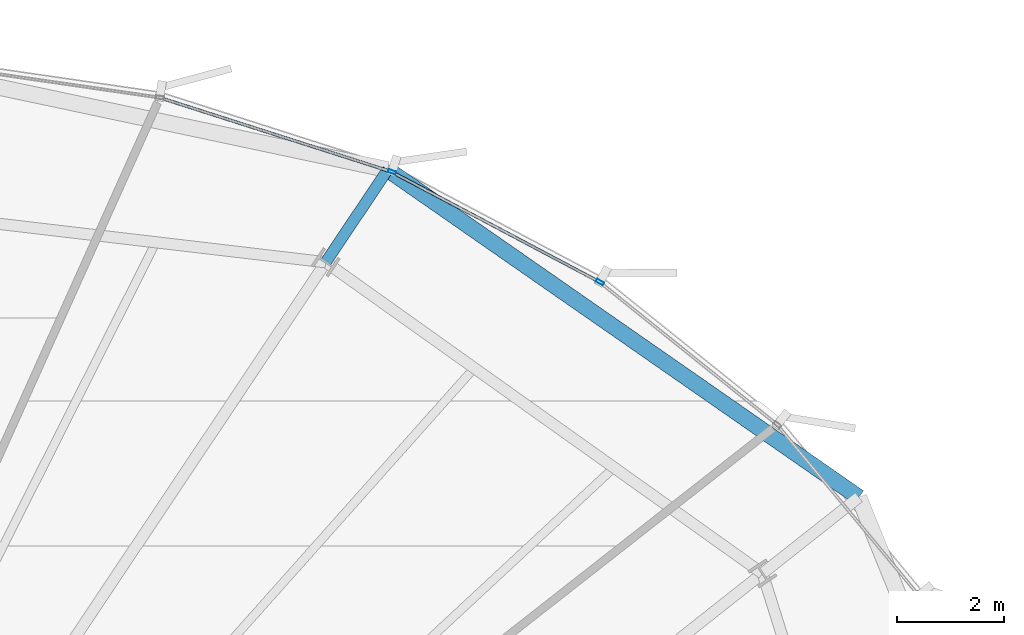
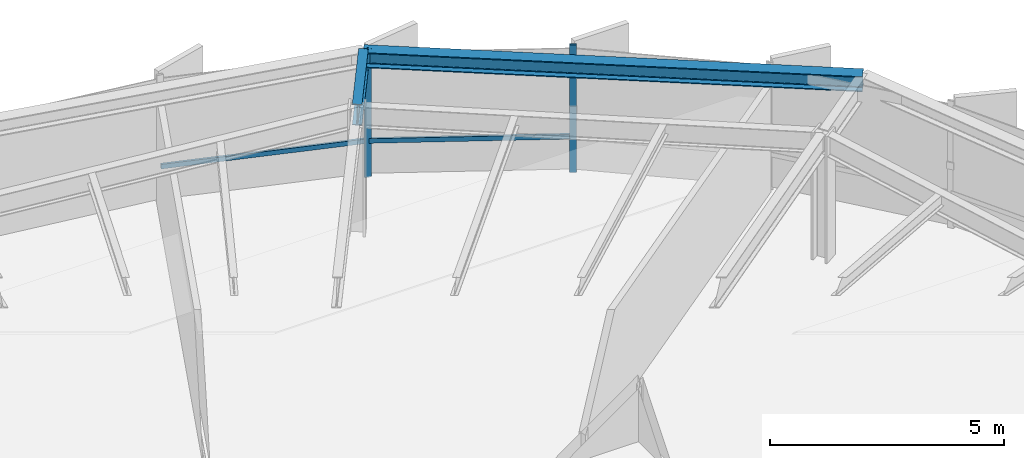
# One storey, part 24 of 35: 4 members, 2 beams, 1 element without a shape of its own.
"""IFC4 building model written with IfcOpenShell, lengths in metres."""

from ifc_helpers import new_model, si_unit, direction, frame, origin, origin_2d, place, context, subcontext, project, spatial, hollow_rectangle, i_section, extrude, source, transform, mapped, material, layer, layer_set, material_profile, profile_set, type_object, element, aggregate, save


model = new_model("IFC4")

# Units and contexts
model_context = context("Model", 3, precision=1e-05, world=origin(), true_north=direction((0.0, 1.0)))
body_context = subcontext(model_context, "Body", "Model", "MODEL_VIEW")
ifc_project = project(units=[si_unit("LENGTHUNIT", "METRE"), si_unit("AREAUNIT", "SQUARE_METRE"), si_unit("VOLUMEUNIT", "CUBIC_METRE"), si_unit("PLANEANGLEUNIT", "RADIAN"), si_unit("MASSUNIT", "GRAM", prefix="KILO"), si_unit("THERMODYNAMICTEMPERATUREUNIT", "KELVIN")], contexts=[model_context])

# Site, building, storey
site_placement = place(None, origin())
site = spatial("IfcSite", under=ifc_project, at=site_placement, CompositionType="ELEMENT")
building_placement = place(site_placement, origin())
building = spatial("IfcBuilding", under=site, at=building_placement, Name="Kethvar Cultural Tower", CompositionType="ELEMENT")
storey_placement = place(building_placement, frame((0.0, 0.0, 121.60009765625)))
storey = spatial("IfcBuildingStorey", under=building, at=storey_placement, Name="L30", CompositionType="ELEMENT", Elevation=121.60009765625)

# Beams
ifc_material_1 = material(Name="Steel S355J2", Category="steel")
ifc_material_profile_1 = material_profile(ifc_material_1, i_section(OverallWidth=0.2099609375, OverallDepth=0.550048828125, WebThickness=0.010986328125, FlangeThickness=0.01708984375, FilletRadius=0.02392578125, at=origin_2d()), Name="Steel S355J2 — IPE550")
ifc_profile_set_1 = profile_set([ifc_material_profile_1], Name="Steel S355J2 — IPE550")
beam_type_1 = type_object("IfcBeamType", Name="BM-IPE550", PredefinedType="BEAM", material=ifc_profile_set_1)
shared_shape_1 = source(origin(), body_context, "Body", "SweptSolid", [
    extrude(i_section(OverallWidth=0.2099609375, OverallDepth=0.550048828125, WebThickness=0.010986328125, FlangeThickness=0.01708984375, FilletRadius=0.02392578125, at=origin_2d()), origin(), (0.0, 0.0, 1.0), 2.08349609375),
])
beam_1_placement = place(storey_placement, frame((60.40478515625, 48.160888671875, 3.072998046875), z_axis=(0.555538184003, 0.831491025877, 0.0), x_axis=(-0.831491025877, 0.555538184003, 0.0)))
element("IfcBeam", 1, at=beam_1_placement, inside=storey, type_object=beam_type_1, Name="L30 Perimeter Cantilever Beam RC-03", PredefinedType="BEAM", context=body_context, shape_type="MappedRepresentation", body=[
    mapped(shared_shape_1, transform((0.0, 0.0, 0.0), scale=1.0)),
])
ifc_material_profile_2 = material_profile(ifc_material_1, i_section(OverallWidth=0.300048828125, OverallDepth=0.39990234375, WebThickness=0.013427734375, FlangeThickness=0.02392578125, FilletRadius=0.027099609375, at=origin_2d()), Name="Steel S355J2 — HEB400")
ifc_profile_set_2 = profile_set([ifc_material_profile_2], Name="Steel S355J2 — HEB400")
beam_type_2 = type_object("IfcBeamType", Name="BM-SP400", PredefinedType="SPANDREL", material=ifc_profile_set_2)
shared_shape_2 = source(origin(), body_context, "Body", "SweptSolid", [
    extrude(i_section(OverallWidth=0.300048828125, OverallDepth=0.39990234375, WebThickness=0.013427734375, FlangeThickness=0.02392578125, FilletRadius=0.027099609375, at=origin_2d()), origin(), (0.0, 0.0, 1.0), 10.727783203125),
])
beam_2_placement = place(storey_placement, frame((70.369140625, 43.767822265625, 3.14794921875), z_axis=(-0.820950657276, 0.570999140383, 0.0), x_axis=(-0.570999140383, -0.820950657276, 0.0)))
element("IfcBeam", 2, at=beam_2_placement, inside=storey, type_object=beam_type_2, Name="L30 Perimeter Spandrel Beam SP-02", PredefinedType="SPANDREL", context=body_context, shape_type="MappedRepresentation", body=[
    mapped(shared_shape_2, transform((0.0, 0.0, 0.0), scale=1.0)),
])

# Curtain wall, members
ifc_material_2 = material(Name="Aluminium 6063-T6", Category="aluminium")
ifc_layer = layer(ifc_material_2, 0.179931640625, Name="Aluminium 6063-T6", Category="aluminium")
ifc_layer_set = layer_set([ifc_layer], Name="Aluminium 6063-T6 (180 mm)")
curtain_wall_type = type_object("IfcCurtainWallType", Name="CW-SYS-03-Z2", PredefinedType="NOTDEFINED", material=ifc_layer_set)
curtain_wall_placement = place(storey_placement, origin())
curtain_wall = element("IfcCurtainWall", 3, at=curtain_wall_placement, inside=storey, type_object=curtain_wall_type, Name="L30 Curtain Wall Run 01", PredefinedType="NOTDEFINED")
ifc_material_profile_3 = material_profile(ifc_material_2, hollow_rectangle(XDim=0.06005859375, YDim=0.14990234375, WallThickness=0.0048828125, at=origin_2d()), Name="Aluminium 6063-T6 — RHS150x60x5")
ifc_profile_set_3 = profile_set([ifc_material_profile_3], Name="Aluminium 6063-T6 — RHS150x60x5")
member_type_1 = type_object("IfcMemberType", Name="CW-SYS-03-Z2-MUL", PredefinedType="MULLION", material=ifc_profile_set_3)
shared_shape_3 = source(origin(), body_context, "Body", "SweptSolid", [
    extrude(hollow_rectangle(XDim=0.06005859375, YDim=0.14990234375, WallThickness=0.0048828125, at=origin_2d()), origin(), (0.0, 0.0, 1.0), 3.349853515625),
])
member_1_placement = place(storey_placement, frame((65.528564453125, 47.78955078125, 0.0), z_axis=(0.0, 0.0, 1.0), x_axis=(-0.467898964735, -0.883781963382, 0.0)))
member_1 = element("IfcMember", 4, at=member_1_placement, type_object=member_type_1, Name="CW-L30-R01 Mullion 4", PredefinedType="MULLION", context=body_context, shape_type="MappedRepresentation", body=[
    mapped(shared_shape_3, transform((0.0, 0.0, 0.0), scale=1.0)),
])
member_2_placement = place(storey_placement, frame((61.64208984375, 49.84912109375, 0.0), z_axis=(0.0, 0.0, 1.0), x_axis=(-0.304764562702, -0.952427719736, 0.0)))
member_2 = element("IfcMember", 5, at=member_2_placement, type_object=member_type_1, Name="CW-L30-R01 Mullion 5", PredefinedType="MULLION", context=body_context, shape_type="MappedRepresentation", body=[
    mapped(shared_shape_3, transform((0.0, 0.0, 0.0), scale=1.0)),
])
ifc_material_profile_4 = material_profile(ifc_material_2, hollow_rectangle(XDim=0.054931640625, YDim=0.1201171875, WallThickness=0.00390625, at=origin_2d()), Name="Aluminium 6063-T6 — RHS120x55x4")
ifc_profile_set_4 = profile_set([ifc_material_profile_4], Name="Aluminium 6063-T6 — RHS120x55x4")
member_type_2 = type_object("IfcMemberType", Name="CW-SYS-03-Z2-TRN", PredefinedType="USERDEFINED", material=ifc_profile_set_4)
shared_shape_4 = source(origin(), body_context, "Body", "SweptSolid", [
    extrude(hollow_rectangle(XDim=0.054931640625, YDim=0.1201171875, WallThickness=0.00390625, at=origin_2d()), origin(), (0.0, 0.0, 1.0), 4.332275390625),
])
member_3_placement = place(storey_placement, frame((65.490478515625, 47.809814453125, 0.949951171875), z_axis=(-0.883782433302, 0.467898077135, 0.0), x_axis=(-0.467898077135, -0.883782433302, 0.0)))
member_3 = element("IfcMember", 6, at=member_3_placement, type_object=member_type_2, Name="CW-L30-R01 Transom 4", ObjectType="TRANSOM", PredefinedType="USERDEFINED", context=body_context, shape_type="MappedRepresentation", body=[
    mapped(shared_shape_4, transform((0.0, 0.0, 0.0), scale=1.0)),
])
shared_shape_5 = source(origin(), body_context, "Body", "SweptSolid", [
    extrude(hollow_rectangle(XDim=0.054931640625, YDim=0.1201171875, WallThickness=0.00390625, at=origin_2d()), origin(), (0.0, 0.0, 1.0), 4.48876953125),
])
member_4_placement = place(storey_placement, frame((61.600830078125, 49.8623046875, 0.949951171875), z_axis=(-0.952432356743, 0.304750071089, 0.0), x_axis=(-0.304750071089, -0.952432356743, 0.0)))
member_4 = element("IfcMember", 7, at=member_4_placement, type_object=member_type_2, Name="CW-L30-R01 Transom 5", ObjectType="TRANSOM", PredefinedType="USERDEFINED", context=body_context, shape_type="MappedRepresentation", body=[
    mapped(shared_shape_5, transform((0.0, 0.0, 0.0), scale=1.0)),
])
aggregate(curtain_wall, [member_1, member_2, member_3, member_4])

save(model, "model.ifc")
